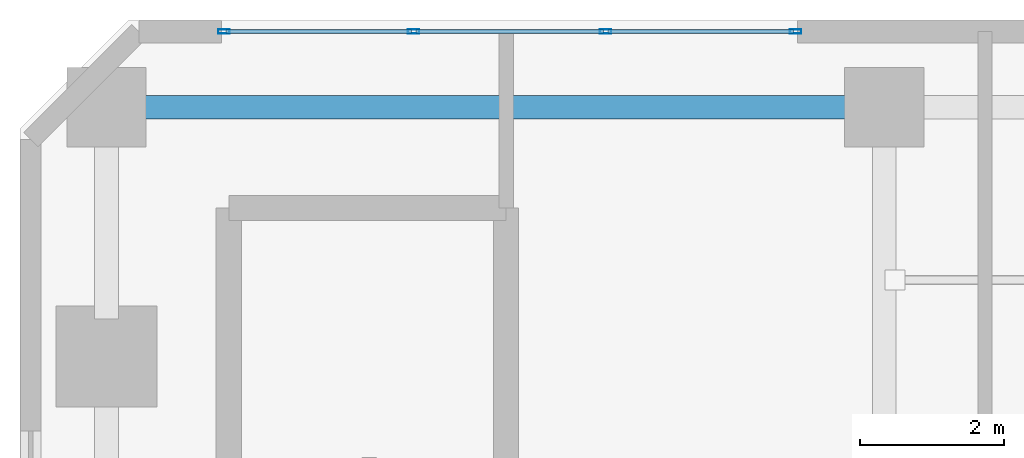
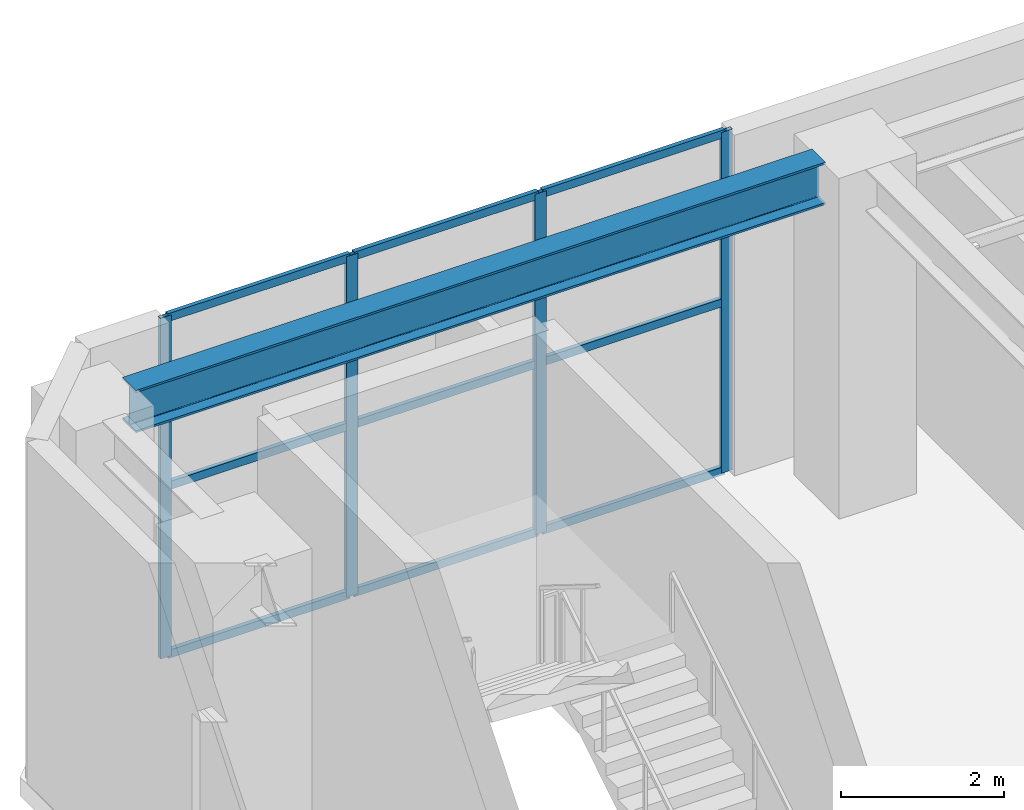
# One storey, part 14 of 32: 13 members, 1 beam, 1 element without a shape of its own.
"""IFC4 building model written with IfcOpenShell, lengths in metres."""

from ifc_helpers import new_model, si_unit, direction, frame, origin, origin_2d, place, context, subcontext, project, spatial, hollow_rectangle, i_section, extrude, material, layer, layer_set, material_profile, profile_set, type_object, element, aggregate, save


model = new_model("IFC4")

# Units and contexts
model_context = context("Model", 3, precision=1e-05, world=origin(), true_north=direction((0.0, 1.0)))
body_context = subcontext(model_context, "Body", "Model", "MODEL_VIEW")
ifc_project = project(units=[si_unit("LENGTHUNIT", "METRE"), si_unit("AREAUNIT", "SQUARE_METRE"), si_unit("VOLUMEUNIT", "CUBIC_METRE"), si_unit("PLANEANGLEUNIT", "RADIAN"), si_unit("MASSUNIT", "GRAM", prefix="KILO")], contexts=[model_context])

# Site, building, storey
site_placement = place(None, origin())
site = spatial("IfcSite", under=ifc_project, at=site_placement, CompositionType="ELEMENT")
building_placement = place(site_placement, origin())
building = spatial("IfcBuilding", under=site, at=building_placement, Name="Sarneth Arch Tower", CompositionType="ELEMENT")
storey_placement = place(building_placement, frame((0.0, 0.0, 11.39990234375)))
storey = spatial("IfcBuildingStorey", under=building, at=storey_placement, Name="L02", CompositionType="ELEMENT", Elevation=11.39990234375)

# Beam
ifc_material_1 = material(Name="Steel S355", Category="steel")
ifc_material_profile_1 = material_profile(ifc_material_1, i_section(OverallWidth=0.3291015625, OverallDepth=0.635009765625, WebThickness=0.017822265625, FlangeThickness=0.031005859375, FilletRadius=0.01904296875, at=origin_2d()), Name="W610x241")
ifc_profile_set_1 = profile_set([ifc_material_profile_1], Name="Steel S355")
beam_type = type_object("IfcBeamType", Name="BM-POD-610", PredefinedType="BEAM", material=ifc_profile_set_1)
beam_placement = place(storey_placement, frame((9.719970703125, 74.800048828125, 4.78271484375), z_axis=(1.0, 0.0, 0.0), x_axis=(0.0, 1.0, 0.0)))
element("IfcBeam", 1, at=beam_placement, inside=storey, type_object=beam_type, Name="L02 Podium PN girder 1", PredefinedType="BEAM", context=body_context, shape_type="SweptSolid", body=[
    extrude(i_section(OverallWidth=0.3291015625, OverallDepth=0.635009765625, WebThickness=0.017822265625, FlangeThickness=0.031005859375, FilletRadius=0.01904296875, at=origin_2d()), origin(), (0.0, 0.0, 1.0), 9.760009765625),
])

# Curtain wall, members
ifc_material_2 = material(Name="Anodised aluminium Type AA25 and solar-control low-e laminated IGU", Category="aluminium")
ifc_layer = layer(ifc_material_2, 0.179931640625)
ifc_layer_set = layer_set([ifc_layer], Name="Anodised aluminium Type AA25 and solar-control low-e laminated IGU")
curtain_wall_type = type_object("IfcCurtainWallType", Name="CW-PODIUM-CHAMF", PredefinedType="NOTDEFINED", material=ifc_layer_set)
curtain_wall_placement = place(storey_placement, origin())
curtain_wall = element("IfcCurtainWall", 2, at=curtain_wall_placement, inside=storey, type_object=curtain_wall_type, Name="L02 Podium bay curtain wall NW", PredefinedType="NOTDEFINED")
ifc_material_3 = material(Name="Anodised Aluminium 6063-T6", Category="aluminium")
ifc_material_profile_2 = material_profile(ifc_material_3, hollow_rectangle(XDim=0.06005859375, YDim=0.159912109375, WallThickness=0.00390625, at=origin_2d()), Name="AL-MULL-160x60x4")
ifc_profile_set_2 = profile_set([ifc_material_profile_2], Name="Anodised Aluminium 6063-T6")
member_type_1 = type_object("IfcMemberType", Name="CW-MULLION", PredefinedType="MULLION", material=ifc_profile_set_2)
member_1_placement = place(storey_placement, frame((18.77001953125, 75.85009765625, 0.0), z_axis=(0.0, 0.0, 1.0), x_axis=(0.0, -1.0, 0.0)))
member_1 = element("IfcMember", 3, at=member_1_placement, type_object=member_type_1, Name="CW-SYS-1 mullion 1", PredefinedType="MULLION", context=body_context, shape_type="SweptSolid", body=[
    extrude(hollow_rectangle(XDim=0.06005859375, YDim=0.159912109375, WallThickness=0.00390625, at=origin_2d()), origin(), (0.0, 0.0, 1.0), 5.10009765625),
])
member_2_placement = place(storey_placement, frame((16.13330078125, 75.85009765625, 0.0), z_axis=(0.0, 0.0, 1.0), x_axis=(0.0, -1.0, 0.0)))
member_2 = element("IfcMember", 4, at=member_2_placement, type_object=member_type_1, Name="CW-SYS-1 mullion 2", PredefinedType="MULLION", context=body_context, shape_type="SweptSolid", body=[
    extrude(hollow_rectangle(XDim=0.06005859375, YDim=0.159912109375, WallThickness=0.00390625, at=origin_2d()), origin(), (0.0, 0.0, 1.0), 5.10009765625),
])
member_3_placement = place(storey_placement, frame((13.466552734375, 75.85009765625, 0.0), z_axis=(0.0, 0.0, 1.0), x_axis=(0.0, -1.0, 0.0)))
member_3 = element("IfcMember", 5, at=member_3_placement, type_object=member_type_1, Name="CW-SYS-1 mullion 3", PredefinedType="MULLION", context=body_context, shape_type="SweptSolid", body=[
    extrude(hollow_rectangle(XDim=0.06005859375, YDim=0.159912109375, WallThickness=0.00390625, at=origin_2d()), origin(), (0.0, 0.0, 1.0), 5.10009765625),
])
member_4_placement = place(storey_placement, frame((10.830078125, 75.85009765625, 0.0), z_axis=(0.0, 0.0, 1.0), x_axis=(0.0, -1.0, 0.0)))
member_4 = element("IfcMember", 6, at=member_4_placement, type_object=member_type_1, Name="CW-SYS-1 mullion 4", PredefinedType="MULLION", context=body_context, shape_type="SweptSolid", body=[
    extrude(hollow_rectangle(XDim=0.06005859375, YDim=0.159912109375, WallThickness=0.00390625, at=origin_2d()), origin(), (0.0, 0.0, 1.0), 5.10009765625),
])
ifc_material_4 = material(Name="Anodised Aluminium 6063-T6", Category="aluminium")
ifc_material_profile_3 = material_profile(ifc_material_4, hollow_rectangle(XDim=0.06005859375, YDim=0.1201171875, WallThickness=0.00390625, at=origin_2d()), Name="AL-TRAN-120x60x4")
ifc_profile_set_3 = profile_set([ifc_material_profile_3], Name="Anodised Aluminium 6063-T6")
member_type_2 = type_object("IfcMemberType", Name="CW-TRANSOM", PredefinedType="USERDEFINED", material=ifc_profile_set_3)
member_5_placement = place(storey_placement, frame((18.739990234375, 75.85009765625, 0.030029296875), z_axis=(-1.0, 0.0, 0.0), x_axis=(0.0, -1.0, 0.0)))
member_5 = element("IfcMember", 7, at=member_5_placement, type_object=member_type_2, Name="CW-SYS-1 transom 1.1", ObjectType="TRANSOM", PredefinedType="USERDEFINED", context=body_context, shape_type="SweptSolid", body=[
    extrude(hollow_rectangle(XDim=0.06005859375, YDim=0.1201171875, WallThickness=0.00390625, at=origin_2d()), origin(), (0.0, 0.0, 1.0), 2.57666015625),
])
member_6_placement = place(storey_placement, frame((18.739990234375, 75.85009765625, 2.550048828125), z_axis=(-1.0, 0.0, 0.0), x_axis=(0.0, -1.0, 0.0)))
member_6 = element("IfcMember", 8, at=member_6_placement, type_object=member_type_2, Name="CW-SYS-1 transom 1.2", ObjectType="TRANSOM", PredefinedType="USERDEFINED", context=body_context, shape_type="SweptSolid", body=[
    extrude(hollow_rectangle(XDim=0.06005859375, YDim=0.1201171875, WallThickness=0.00390625, at=origin_2d()), origin(), (0.0, 0.0, 1.0), 2.57666015625),
])
member_7_placement = place(storey_placement, frame((18.739990234375, 75.85009765625, 5.070068359375), z_axis=(-1.0, 0.0, 0.0), x_axis=(0.0, -1.0, 0.0)))
member_7 = element("IfcMember", 9, at=member_7_placement, type_object=member_type_2, Name="CW-SYS-1 transom 1.3", ObjectType="TRANSOM", PredefinedType="USERDEFINED", context=body_context, shape_type="SweptSolid", body=[
    extrude(hollow_rectangle(XDim=0.06005859375, YDim=0.1201171875, WallThickness=0.00390625, at=origin_2d()), origin(), (0.0, 0.0, 1.0), 2.57666015625),
])
member_8_placement = place(storey_placement, frame((16.103271484375, 75.85009765625, 0.030029296875), z_axis=(-1.0, 0.0, 0.0), x_axis=(0.0, -1.0, 0.0)))
member_8 = element("IfcMember", 10, at=member_8_placement, type_object=member_type_2, Name="CW-SYS-1 transom 2.1", ObjectType="TRANSOM", PredefinedType="USERDEFINED", context=body_context, shape_type="SweptSolid", body=[
    extrude(hollow_rectangle(XDim=0.06005859375, YDim=0.1201171875, WallThickness=0.00390625, at=origin_2d()), origin(), (0.0, 0.0, 1.0), 2.606689453125),
])
member_9_placement = place(storey_placement, frame((16.103271484375, 75.85009765625, 2.550048828125), z_axis=(-1.0, 0.0, 0.0), x_axis=(0.0, -1.0, 0.0)))
member_9 = element("IfcMember", 11, at=member_9_placement, type_object=member_type_2, Name="CW-SYS-1 transom 2.2", ObjectType="TRANSOM", PredefinedType="USERDEFINED", context=body_context, shape_type="SweptSolid", body=[
    extrude(hollow_rectangle(XDim=0.06005859375, YDim=0.1201171875, WallThickness=0.00390625, at=origin_2d()), origin(), (0.0, 0.0, 1.0), 2.606689453125),
])
member_10_placement = place(storey_placement, frame((16.103271484375, 75.85009765625, 5.070068359375), z_axis=(-1.0, 0.0, 0.0), x_axis=(0.0, -1.0, 0.0)))
member_10 = element("IfcMember", 12, at=member_10_placement, type_object=member_type_2, Name="CW-SYS-1 transom 2.3", ObjectType="TRANSOM", PredefinedType="USERDEFINED", context=body_context, shape_type="SweptSolid", body=[
    extrude(hollow_rectangle(XDim=0.06005859375, YDim=0.1201171875, WallThickness=0.00390625, at=origin_2d()), origin(), (0.0, 0.0, 1.0), 2.606689453125),
])
member_11_placement = place(storey_placement, frame((13.436767578125, 75.85009765625, 0.030029296875), z_axis=(-1.0, 0.0, 0.0), x_axis=(0.0, -1.0, 0.0)))
member_11 = element("IfcMember", 13, at=member_11_placement, type_object=member_type_2, Name="CW-SYS-1 transom 3.1", ObjectType="TRANSOM", PredefinedType="USERDEFINED", context=body_context, shape_type="SweptSolid", body=[
    extrude(hollow_rectangle(XDim=0.06005859375, YDim=0.1201171875, WallThickness=0.00390625, at=origin_2d()), origin(), (0.0, 0.0, 1.0), 2.57666015625),
])
member_12_placement = place(storey_placement, frame((13.436767578125, 75.85009765625, 2.550048828125), z_axis=(-1.0, 0.0, 0.0), x_axis=(0.0, -1.0, 0.0)))
member_12 = element("IfcMember", 14, at=member_12_placement, type_object=member_type_2, Name="CW-SYS-1 transom 3.2", ObjectType="TRANSOM", PredefinedType="USERDEFINED", context=body_context, shape_type="SweptSolid", body=[
    extrude(hollow_rectangle(XDim=0.06005859375, YDim=0.1201171875, WallThickness=0.00390625, at=origin_2d()), origin(), (0.0, 0.0, 1.0), 2.57666015625),
])
member_13_placement = place(storey_placement, frame((13.436767578125, 75.85009765625, 5.070068359375), z_axis=(-1.0, 0.0, 0.0), x_axis=(0.0, -1.0, 0.0)))
member_13 = element("IfcMember", 15, at=member_13_placement, type_object=member_type_2, Name="CW-SYS-1 transom 3.3", ObjectType="TRANSOM", PredefinedType="USERDEFINED", context=body_context, shape_type="SweptSolid", body=[
    extrude(hollow_rectangle(XDim=0.06005859375, YDim=0.1201171875, WallThickness=0.00390625, at=origin_2d()), origin(), (0.0, 0.0, 1.0), 2.57666015625),
])
aggregate(curtain_wall, [member_1, member_2, member_3, member_4, member_5, member_6, member_7, member_8, member_9, member_10, member_11, member_12, member_13])

save(model, "model.ifc")
